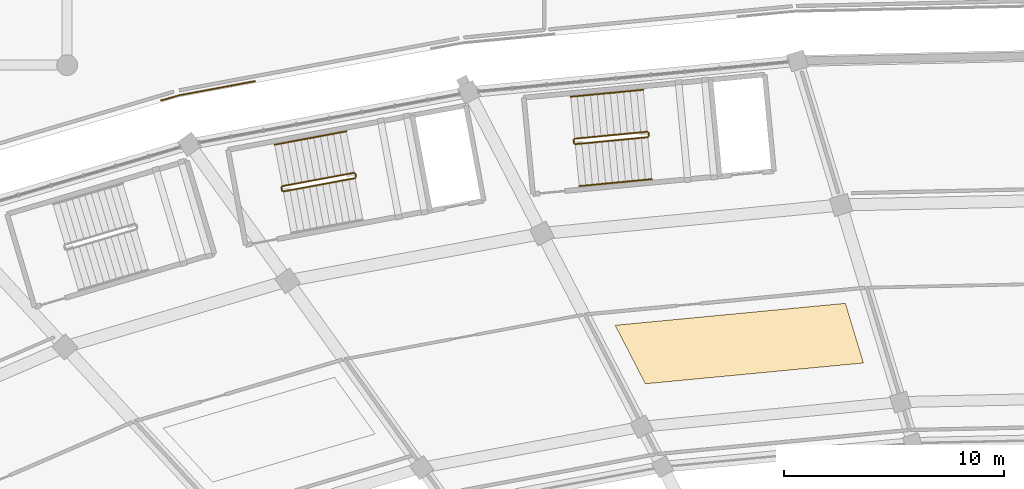
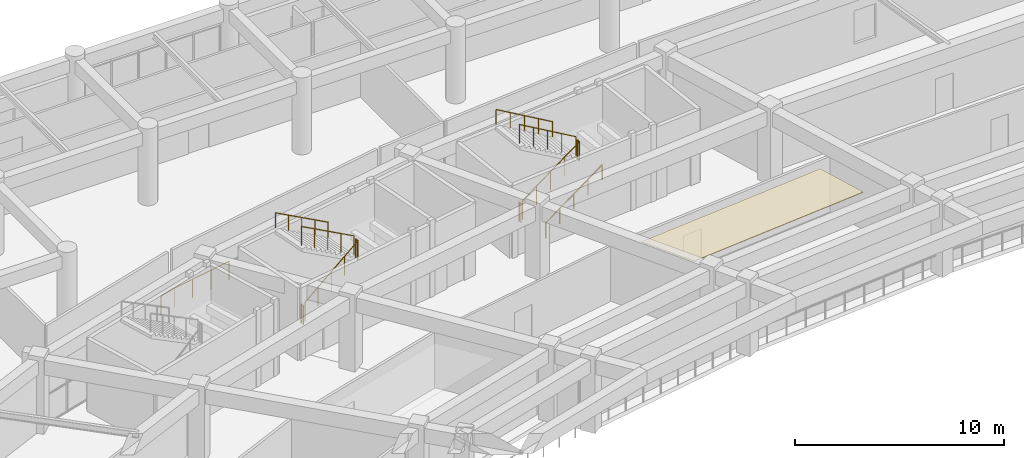
# One storey, part 140 of 145: 12 railings, 1 covering.
"""IFC4 building model written with IfcOpenShell, lengths in metres."""

from ifc_helpers import new_model, si_unit, direction, frame, origin, origin_2d, place, context, subcontext, project, spatial, polyline, circle, outline, extrude, material, layer, layer_set, type_object, element, save


model = new_model("IFC4")

# Units and contexts
model_context = context("Model", 3, precision=1e-05, world=origin(), true_north=direction((0.0, 1.0)))
body_context = subcontext(model_context, "Body", "Model", "MODEL_VIEW")
ifc_project = project(units=[si_unit("LENGTHUNIT", "METRE"), si_unit("AREAUNIT", "SQUARE_METRE"), si_unit("VOLUMEUNIT", "CUBIC_METRE"), si_unit("PLANEANGLEUNIT", "RADIAN"), si_unit("MASSUNIT", "GRAM", prefix="KILO")], contexts=[model_context])

# Site, building, storey
site_placement = place(None, origin())
site = spatial("IfcSite", under=ifc_project, at=site_placement, CompositionType="ELEMENT")
building_placement = place(site_placement, origin())
building = spatial("IfcBuilding", under=site, at=building_placement, Name="Mphavela Belvedere Stadium", CompositionType="ELEMENT")
storey_placement = place(building_placement, frame((0.0, 0.0, 10.199951171875)))
storey = spatial("IfcBuildingStorey", under=building, at=storey_placement, Name="L02", CompositionType="ELEMENT", Elevation=10.199951171875)

# Covering
ifc_material_1 = material(Name="Perforated acoustic mineral ceiling tile")
ifc_layer = layer(ifc_material_1, 0.0400390625)
ifc_layer_set = layer_set([ifc_layer], Name="Perforated acoustic mineral ceiling tile")
covering_type = type_object("IfcCoveringType", Name="COV-CEILING-ACOUSTIC", PredefinedType="CEILING", material=ifc_layer_set)
covering_placement = place(storey_placement, frame((0.0, 0.0, 3.199951171875)))
element("IfcCovering", 1, at=covering_placement, inside=storey, type_object=covering_type, Name="Concourse acoustic ceiling L02-14", PredefinedType="CEILING", context=body_context, shape_type="SweptSolid", body=[
    extrude(outline(polyline([(95.889404296875, 146.43701171875), (85.961181640625, 145.490234375), (84.58447265625, 148.1552734375), (95.068115234375, 149.15478515625), (95.889404296875, 146.43701171875)])), origin(), (0.0, 0.0, 1.0), 0.0400390625),
])

# Railings
ifc_material_2 = material(Name="Bronze and laminated glass stadium balustrade", Category="glass")
railing_type_1 = type_object("IfcRailingType", Name="RAL-BALUSTRADE-1120", PredefinedType="BALUSTRADE", material=ifc_material_2)
railing_1_placement = place(storey_placement, frame((68.1826171875, 159.271728515625, 0.0)))
element("IfcRailing", 2, at=railing_1_placement, inside=storey, type_object=railing_type_1, Name="Peristyle wing gallery edge balustrade L02-32", PredefinedType="BALUSTRADE", context=body_context, shape_type="SweptSolid", body=[
    extrude(circle(Radius=0.02392578125, at=origin_2d()), frame((0.0, 0.0, 1.09619140625), z_axis=(-0.983089595219, -0.183125224291, 0.0), x_axis=(0.183125224291, -0.983089595219, 0.0)), (0.0, 0.0, 1.0), 3.459716796875),
    extrude(circle(Radius=0.02392578125, at=origin_2d()), frame((-3.401123046875, -0.633544921875, 1.09619140625), z_axis=(-0.96248917912, -0.271320069434, 0.0), x_axis=(0.271320069434, -0.96248917912, 0.0)), (0.0, 0.0, 1.0), 0.91064453125),
    extrude(circle(Radius=0.02099609375, at=origin_2d()), origin(), (0.0, 0.0, 1.0), 1.072021484375),
    extrude(circle(Radius=0.02099609375, at=origin_2d()), frame((-1.1337890625, -0.211181640625, 0.0)), (0.0, 0.0, 1.0), 1.072021484375),
    extrude(circle(Radius=0.02099609375, at=origin_2d()), frame((-2.267333984375, -0.42236328125, 0.0)), (0.0, 0.0, 1.0), 1.072021484375),
    extrude(circle(Radius=0.02099609375, at=origin_2d()), frame((-3.401123046875, -0.633544921875, 0.0)), (0.0, 0.0, 1.0), 1.072021484375),
    extrude(circle(Radius=0.02099609375, at=origin_2d()), frame((-4.277587890625, -0.880615234375, 0.0)), (0.0, 0.0, 1.0), 1.072021484375),
])
ifc_material_3 = material(Name="Painted galvanised steel stair guardrail", Category="steel")
railing_type_2 = type_object("IfcRailingType", Name="RAL-GUARD-1120", PredefinedType="GUARDRAIL", material=ifc_material_3)
railing_2_placement = place(storey_placement, frame((69.47607421875, 154.24609375, 0.1875)))
element("IfcRailing", 3, at=railing_2_placement, inside=storey, type_object=railing_type_2, Name="L02 ST-C02 stair guard 1", PredefinedType="GUARDRAIL", context=body_context, shape_type="SweptSolid", body=[
    extrude(circle(Radius=0.02392578125, at=origin_2d()), frame((0.0, 0.0, 1.09619140625), z_axis=(0.835191065509, 0.155599292408, 0.527489094006), x_axis=(-0.183152411056, 0.98308453061, 0.0)), (0.0, 0.0, 1.0), 3.909912109375),
    extrude(circle(Radius=0.02099609375, at=origin_2d()), origin(), (0.0, 0.0, 1.0), 1.072021484375),
    extrude(circle(Radius=0.02099609375, at=origin_2d()), frame((0.81640625, 0.152099609375, 0.515625)), (0.0, 0.0, 1.0), 1.072021484375),
    extrude(circle(Radius=0.02099609375, at=origin_2d()), frame((1.6328125, 0.30419921875, 1.03125)), (0.0, 0.0, 1.0), 1.072021484375),
    extrude(circle(Radius=0.02099609375, at=origin_2d()), frame((2.44921875, 0.456298828125, 1.546875)), (0.0, 0.0, 1.0), 1.072021484375),
    extrude(circle(Radius=0.02099609375, at=origin_2d()), frame((3.265625, 0.6083984375, 2.0625)), (0.0, 0.0, 1.0), 1.072021484375),
])
railing_3_placement = place(storey_placement, frame((72.78173828125, 154.91259765625, 2.25)))
element("IfcRailing", 4, at=railing_3_placement, inside=storey, type_object=railing_type_2, Name="L02 ST-C02 stair guard 2", PredefinedType="GUARDRAIL", context=body_context, shape_type="SweptSolid", body=[
    extrude(circle(Radius=0.02392578125, at=origin_2d()), frame((0.0, 0.0, 1.09619140625), z_axis=(-0.182322426032, 0.983238797529, 0.0), x_axis=(-0.983238797529, -0.182322426032, 0.0)), (0.0, 0.0, 1.0), 0.14990234375),
    extrude(circle(Radius=0.02099609375, at=origin_2d()), origin(), (0.0, 0.0, 1.0), 1.072021484375),
    extrude(circle(Radius=0.02099609375, at=origin_2d()), frame((-0.02734375, 0.1474609375, 0.0)), (0.0, 0.0, 1.0), 1.072021484375),
])
railing_4_placement = place(storey_placement, frame((72.696044921875, 155.10009765625, 2.4375)))
element("IfcRailing", 5, at=railing_4_placement, inside=storey, type_object=railing_type_2, Name="L02 ST-C02 stair guard 3", PredefinedType="GUARDRAIL", context=body_context, shape_type="SweptSolid", body=[
    extrude(circle(Radius=0.02392578125, at=origin_2d()), frame((0.0, 0.0, 1.09619140625), z_axis=(-0.835218061398, -0.155530252743, 0.527466710226), x_axis=(0.183068151301, -0.983100224789, 0.0)), (0.0, 0.0, 1.0), 3.91015625),
    extrude(circle(Radius=0.02099609375, at=origin_2d()), origin(), (0.0, 0.0, 1.0), 1.072021484375),
    extrude(circle(Radius=0.02099609375, at=origin_2d()), frame((-0.81640625, -0.152099609375, 0.515625)), (0.0, 0.0, 1.0), 1.072021484375),
    extrude(circle(Radius=0.02099609375, at=origin_2d()), frame((-1.6328125, -0.30419921875, 1.03125)), (0.0, 0.0, 1.0), 1.072021484375),
    extrude(circle(Radius=0.02099609375, at=origin_2d()), frame((-2.449462890625, -0.4560546875, 1.546875)), (0.0, 0.0, 1.0), 1.072021484375),
    extrude(circle(Radius=0.02099609375, at=origin_2d()), frame((-3.265869140625, -0.608154296875, 2.0625)), (0.0, 0.0, 1.0), 1.072021484375),
])
railing_5_placement = place(storey_placement, frame((69.417724609375, 154.2861328125, 0.0)))
element("IfcRailing", 6, at=railing_5_placement, inside=storey, type_object=railing_type_2, Name="L02 ST-C02 stair guard 4", PredefinedType="GUARDRAIL", context=body_context, shape_type="SweptSolid", body=[
    extrude(circle(Radius=0.02392578125, at=origin_2d()), frame((0.0, 0.0, 1.09619140625), z_axis=(-0.183895489382, 0.982945801652, 0.0), x_axis=(-0.982945801652, -0.183895489382, 0.0)), (0.0, 0.0, 1.0), 0.14990234375),
    extrude(circle(Radius=0.02099609375, at=origin_2d()), origin(), (0.0, 0.0, 1.0), 1.072021484375),
    extrude(circle(Radius=0.02099609375, at=origin_2d()), frame((-0.027587890625, 0.1474609375, 0.0)), (0.0, 0.0, 1.0), 1.072021484375),
])
railing_6_placement = place(storey_placement, frame((82.765869140625, 156.4033203125, 0.1875)))
element("IfcRailing", 7, at=railing_6_placement, inside=storey, type_object=railing_type_2, Name="L02 ST-C04 stair guard 1", PredefinedType="GUARDRAIL", context=body_context, shape_type="SweptSolid", body=[
    extrude(circle(Radius=0.02392578125, at=origin_2d()), frame((0.0, 0.0, 1.09619140625), z_axis=(0.845728756468, 0.080670472747, 0.527479995175), x_axis=(-0.094954759157, 0.995481588837, 0.0)), (0.0, 0.0, 1.0), 3.91015625),
    extrude(circle(Radius=0.02099609375, at=origin_2d()), origin(), (0.0, 0.0, 1.0), 1.072021484375),
    extrude(circle(Radius=0.02099609375, at=origin_2d()), frame((0.82666015625, 0.078857421875, 0.515625)), (0.0, 0.0, 1.0), 1.072021484375),
    extrude(circle(Radius=0.02099609375, at=origin_2d()), frame((1.6533203125, 0.15771484375, 1.03125)), (0.0, 0.0, 1.0), 1.072021484375),
    extrude(circle(Radius=0.02099609375, at=origin_2d()), frame((2.480224609375, 0.236572265625, 1.546875)), (0.0, 0.0, 1.0), 1.072021484375),
    extrude(circle(Radius=0.02099609375, at=origin_2d()), frame((3.306884765625, 0.3154296875, 2.0625)), (0.0, 0.0, 1.0), 1.072021484375),
])
railing_7_placement = place(storey_placement, frame((86.11767578125, 156.7734375, 2.25)))
element("IfcRailing", 8, at=railing_7_placement, inside=storey, type_object=railing_type_2, Name="L02 ST-C04 stair guard 2", PredefinedType="GUARDRAIL", context=body_context, shape_type="SweptSolid", body=[
    extrude(circle(Radius=0.02392578125, at=origin_2d()), frame((0.0, 0.0, 1.09619140625), z_axis=(-0.094501527919, 0.995524716529, 0.0), x_axis=(-0.995524716529, -0.094501527919, 0.0)), (0.0, 0.0, 1.0), 0.14990234375),
    extrude(circle(Radius=0.02099609375, at=origin_2d()), origin(), (0.0, 0.0, 1.0), 1.072021484375),
    extrude(circle(Radius=0.02099609375, at=origin_2d()), frame((-0.01416015625, 0.149169921875, 0.0)), (0.0, 0.0, 1.0), 1.072021484375),
])
railing_8_placement = place(storey_placement, frame((86.049072265625, 156.9677734375, 2.4375)))
element("IfcRailing", 9, at=railing_8_placement, inside=storey, type_object=railing_type_2, Name="L02 ST-C04 stair guard 3", PredefinedType="GUARDRAIL", context=body_context, shape_type="SweptSolid", body=[
    extrude(circle(Radius=0.02392578125, at=origin_2d()), frame((0.0, 0.0, 1.09619140625), z_axis=(-0.845742272822, -0.080728241456, 0.527449484778), x_axis=(0.095020638299, -0.995475302706, 0.0)), (0.0, 0.0, 1.0), 3.910400390625),
    extrude(circle(Radius=0.02099609375, at=origin_2d()), origin(), (0.0, 0.0, 1.0), 1.072021484375),
    extrude(circle(Radius=0.02099609375, at=origin_2d()), frame((-0.82666015625, -0.078857421875, 0.515625)), (0.0, 0.0, 1.0), 1.072021484375),
    extrude(circle(Radius=0.02099609375, at=origin_2d()), frame((-1.653564453125, -0.15771484375, 1.03125)), (0.0, 0.0, 1.0), 1.072021484375),
    extrude(circle(Radius=0.02099609375, at=origin_2d()), frame((-2.48046875, -0.23681640625, 1.546875)), (0.0, 0.0, 1.0), 1.072021484375),
    extrude(circle(Radius=0.02099609375, at=origin_2d()), frame((-3.30712890625, -0.315673828125, 2.0625)), (0.0, 0.0, 1.0), 1.072021484375),
])
railing_9_placement = place(storey_placement, frame((82.711181640625, 156.448486328125, 0.0)))
element("IfcRailing", 10, at=railing_9_placement, inside=storey, type_object=railing_type_2, Name="L02 ST-C04 stair guard 4", PredefinedType="GUARDRAIL", context=body_context, shape_type="SweptSolid", body=[
    extrude(circle(Radius=0.02392578125, at=origin_2d()), frame((0.0, 0.0, 1.09619140625), z_axis=(-0.094501527919, 0.995524716529, 0.0), x_axis=(-0.995524716529, -0.094501527919, 0.0)), (0.0, 0.0, 1.0), 0.14990234375),
    extrude(circle(Radius=0.02099609375, at=origin_2d()), origin(), (0.0, 0.0, 1.0), 1.072021484375),
    extrude(circle(Radius=0.02099609375, at=origin_2d()), frame((-0.01416015625, 0.149169921875, 0.0)), (0.0, 0.0, 1.0), 1.072021484375),
])
ifc_material_4 = material(Name="Brushed stainless steel tubular handrail", Category="steel")
railing_type_3 = type_object("IfcRailingType", Name="RAL-HANDRAIL-900", PredefinedType="HANDRAIL", material=ifc_material_4)
railing_10_placement = place(storey_placement, frame((72.344482421875, 156.98779296875, 2.4375)))
element("IfcRailing", 11, at=railing_10_placement, inside=storey, type_object=railing_type_3, Name="L02 ST-C02 stair handrail 2", PredefinedType="HANDRAIL", context=body_context, shape_type="SweptSolid", body=[
    extrude(circle(Radius=0.02392578125, at=origin_2d()), frame((0.0, 0.0, 0.8759765625), z_axis=(-0.835209949234, -0.155591178402, 0.527461587137), x_axis=(0.183139178697, -0.983086995757, 0.0)), (0.0, 0.0, 1.0), 3.91015625),
    extrude(circle(Radius=0.02099609375, at=origin_2d()), origin(), (0.0, 0.0, 1.0), 0.851806640625),
    extrude(circle(Radius=0.02099609375, at=origin_2d()), frame((-0.81640625, -0.152099609375, 0.515625)), (0.0, 0.0, 1.0), 0.851806640625),
    extrude(circle(Radius=0.02099609375, at=origin_2d()), frame((-1.6328125, -0.30419921875, 1.03125)), (0.0, 0.0, 1.0), 0.851806640625),
    extrude(circle(Radius=0.02099609375, at=origin_2d()), frame((-2.449462890625, -0.456298828125, 1.546875)), (0.0, 0.0, 1.0), 0.851806640625),
    extrude(circle(Radius=0.02099609375, at=origin_2d()), frame((-3.265869140625, -0.6083984375, 2.0625)), (0.0, 0.0, 1.0), 0.851806640625),
])
railing_11_placement = place(storey_placement, frame((82.947998046875, 154.491943359375, 0.1875)))
element("IfcRailing", 12, at=railing_11_placement, inside=storey, type_object=railing_type_3, Name="L02 ST-C04 stair handrail 1", PredefinedType="HANDRAIL", context=body_context, shape_type="SweptSolid", body=[
    extrude(circle(Radius=0.02392578125, at=origin_2d()), frame((0.0, 0.0, 0.8759765625), z_axis=(0.845742272822, 0.080728241456, 0.527449484778), x_axis=(-0.095020638299, 0.995475302706, 0.0)), (0.0, 0.0, 1.0), 3.910400390625),
    extrude(circle(Radius=0.02099609375, at=origin_2d()), origin(), (0.0, 0.0, 1.0), 0.851806640625),
    extrude(circle(Radius=0.02099609375, at=origin_2d()), frame((0.82666015625, 0.078857421875, 0.515625)), (0.0, 0.0, 1.0), 0.851806640625),
    extrude(circle(Radius=0.02099609375, at=origin_2d()), frame((1.653564453125, 0.15771484375, 1.03125)), (0.0, 0.0, 1.0), 0.851806640625),
    extrude(circle(Radius=0.02099609375, at=origin_2d()), frame((2.48046875, 0.23681640625, 1.546875)), (0.0, 0.0, 1.0), 0.851806640625),
    extrude(circle(Radius=0.02099609375, at=origin_2d()), frame((3.30712890625, 0.315673828125, 2.0625)), (0.0, 0.0, 1.0), 0.851806640625),
])
railing_12_placement = place(storey_placement, frame((85.86669921875, 158.879150390625, 2.4375)))
element("IfcRailing", 13, at=railing_12_placement, inside=storey, type_object=railing_type_3, Name="L02 ST-C04 stair handrail 2", PredefinedType="HANDRAIL", context=body_context, shape_type="SweptSolid", body=[
    extrude(circle(Radius=0.02392578125, at=origin_2d()), frame((0.0, 0.0, 0.8759765625), z_axis=(-0.845742272822, -0.080728241456, 0.527449484778), x_axis=(0.095020638299, -0.995475302706, 0.0)), (0.0, 0.0, 1.0), 3.910400390625),
    extrude(circle(Radius=0.02099609375, at=origin_2d()), origin(), (0.0, 0.0, 1.0), 0.851806640625),
    extrude(circle(Radius=0.02099609375, at=origin_2d()), frame((-0.82666015625, -0.078857421875, 0.515625)), (0.0, 0.0, 1.0), 0.851806640625),
    extrude(circle(Radius=0.02099609375, at=origin_2d()), frame((-1.653564453125, -0.15771484375, 1.03125)), (0.0, 0.0, 1.0), 0.851806640625),
    extrude(circle(Radius=0.02099609375, at=origin_2d()), frame((-2.48046875, -0.23681640625, 1.546875)), (0.0, 0.0, 1.0), 0.851806640625),
    extrude(circle(Radius=0.02099609375, at=origin_2d()), frame((-3.30712890625, -0.315673828125, 2.0625)), (0.0, 0.0, 1.0), 0.851806640625),
])

save(model, "model.ifc")
